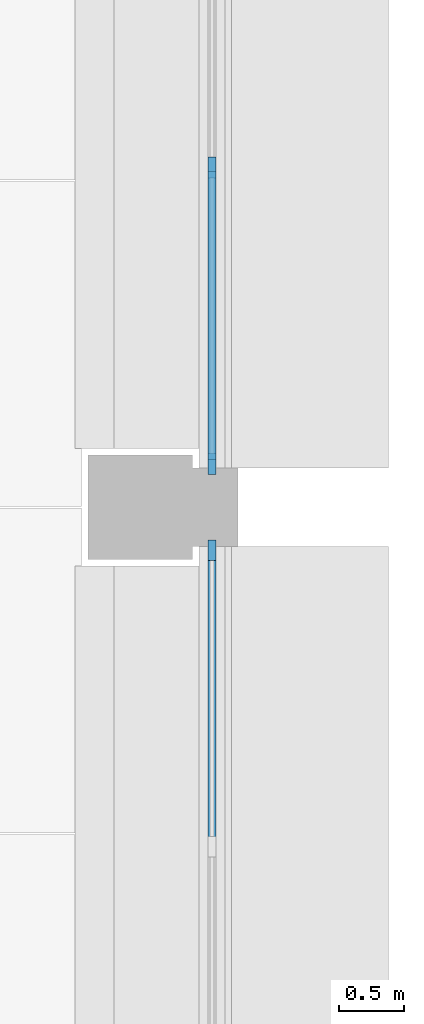
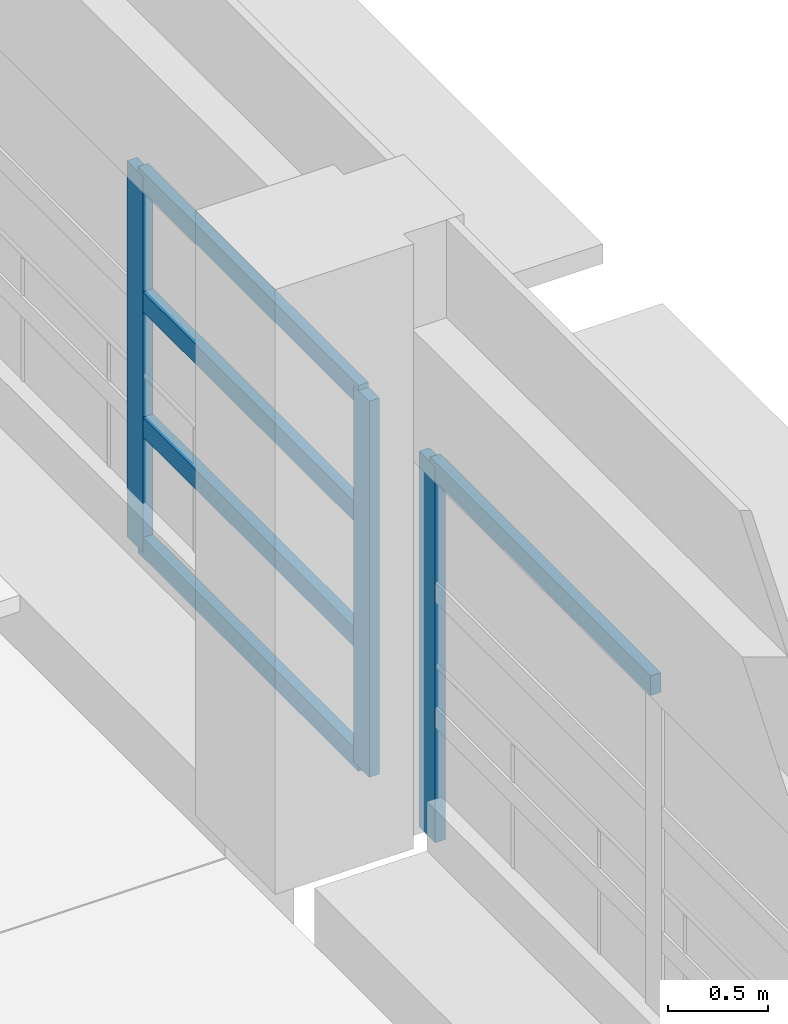
# One storey, part 10 of 61: 8 members, 2 elements without a shape of their own.
"""IFC4 building model written with IfcOpenShell, lengths in metres."""

from ifc_helpers import new_model, si_unit, direction, frame, origin, origin_2d, place, context, subcontext, project, spatial, rectangle, extrude, material, layer, layer_set, material_profile, profile_set, type_object, element, aggregate, save


model = new_model("IFC4")

# Units and contexts
model_context = context("Model", 3, precision=1e-05, world=origin(), true_north=direction((0.0, 1.0)))
body_context = subcontext(model_context, "Body", "Model", "MODEL_VIEW")
ifc_project = project(units=[si_unit("LENGTHUNIT", "METRE"), si_unit("AREAUNIT", "SQUARE_METRE"), si_unit("VOLUMEUNIT", "CUBIC_METRE"), si_unit("PLANEANGLEUNIT", "RADIAN"), si_unit("MASSUNIT", "GRAM", prefix="KILO")], contexts=[model_context])

# Site, building, storey
site_placement = place(None, origin())
site = spatial("IfcSite", under=ifc_project, at=site_placement, CompositionType="ELEMENT")
building_placement = place(site_placement, origin())
building = spatial("IfcBuilding", under=site, at=building_placement, Name="Cour d'Honneur Mobility Palace", CompositionType="ELEMENT")
storey_placement = place(building_placement, frame((0.0, 0.0, 11.89990234375)))
storey = spatial("IfcBuildingStorey", under=building, at=storey_placement, Name="L03", CompositionType="ELEMENT", Elevation=11.89990234375)

# Curtain wall, member
ifc_material_1 = material(Name="Aluminium and glass", Category="aluminium")
ifc_layer = layer(ifc_material_1, 0.10009765625)
ifc_layer_set = layer_set([ifc_layer], Name="Aluminium and glass")
curtain_wall_type = type_object("IfcCurtainWallType", Name="Curtain wall run", PredefinedType="NOTDEFINED", material=ifc_layer_set)
curtain_wall_1_placement = place(storey_placement, origin())
curtain_wall_1 = element("IfcCurtainWall", 1, at=curtain_wall_1_placement, inside=storey, type_object=curtain_wall_type, Name="Curtain wall CW-33", PredefinedType="NOTDEFINED")
ifc_material_2 = material(Name="Aluminium", Category="aluminium")
ifc_material_profile_1 = material_profile(ifc_material_2, rectangle(XDim=0.06005859375, YDim=0.159912109375, at=origin_2d()), Name="Curtain wall mullion")
ifc_profile_set_1 = profile_set([ifc_material_profile_1], Name="Aluminium")
member_type_1 = type_object("IfcMemberType", Name="Curtain wall mullion", PredefinedType="MULLION", material=ifc_profile_set_1)
member_1_placement = place(storey_placement, frame((17.949951171875, 92.070068359375, 0.0), z_axis=(0.0, 0.0, 1.0), x_axis=(-1.0, 0.0, 0.0)))
member_1 = element("IfcMember", 2, at=member_1_placement, type_object=member_type_1, Name="CW-33 mullion 4", PredefinedType="MULLION", context=body_context, shape_type="SweptSolid", body=[
    extrude(rectangle(XDim=0.06005859375, YDim=0.159912109375, at=origin_2d()), origin(), (0.0, 0.0, 1.0), 2.300048828125),
])

# Curtain wall, members
curtain_wall_2_placement = place(storey_placement, origin())
curtain_wall_2 = element("IfcCurtainWall", 3, at=curtain_wall_2_placement, inside=storey, type_object=curtain_wall_type, Name="Curtain wall CW-34", PredefinedType="NOTDEFINED")
member_2_placement = place(storey_placement, frame((17.949951171875, 92.72998046875, 0.0), z_axis=(0.0, 0.0, 1.0), x_axis=(-1.0, 0.0, 0.0)))
member_2 = element("IfcMember", 4, at=member_2_placement, type_object=member_type_1, Name="CW-34 mullion 1", PredefinedType="MULLION", context=body_context, shape_type="SweptSolid", body=[
    extrude(rectangle(XDim=0.06005859375, YDim=0.159912109375, at=origin_2d()), origin(), (0.0, 0.0, 1.0), 2.300048828125),
])
member_3_placement = place(storey_placement, frame((17.949951171875, 95.0, 0.0), z_axis=(0.0, 0.0, 1.0), x_axis=(-1.0, 0.0, 0.0)))
member_3 = element("IfcMember", 5, at=member_3_placement, type_object=member_type_1, Name="CW-34 mullion 2", PredefinedType="MULLION", context=body_context, shape_type="SweptSolid", body=[
    extrude(rectangle(XDim=0.06005859375, YDim=0.159912109375, at=origin_2d()), origin(), (0.0, 0.0, 1.0), 2.300048828125),
])

# Member
ifc_material_3 = material(Name="Aluminium", Category="aluminium")
ifc_material_profile_2 = material_profile(ifc_material_3, rectangle(XDim=0.06005859375, YDim=0.1201171875, at=origin_2d()), Name="Curtain wall transom")
ifc_profile_set_2 = profile_set([ifc_material_profile_2], Name="Aluminium")
member_type_2 = type_object("IfcMemberType", Name="Curtain wall transom", PredefinedType="USERDEFINED", material=ifc_profile_set_2)
member_4_placement = place(storey_placement, frame((17.949951171875, 89.830078125, 2.27001953125), z_axis=(0.0, 1.0, 0.0), x_axis=(-1.0, 0.0, 0.0)))
member_4 = element("IfcMember", 6, at=member_4_placement, type_object=member_type_2, Name="CW-33 transom 3.4", ObjectType="TRANSOM", PredefinedType="USERDEFINED", context=body_context, shape_type="SweptSolid", body=[
    extrude(rectangle(XDim=0.06005859375, YDim=0.1201171875, at=origin_2d()), origin(), (0.0, 0.0, 1.0), 2.2099609375),
])

aggregate(curtain_wall_1, [member_1, member_4])

member_5_placement = place(storey_placement, frame((17.949951171875, 92.760009765625, 0.030029296875), z_axis=(0.0, 1.0, 0.0), x_axis=(-1.0, 0.0, 0.0)))
member_5 = element("IfcMember", 7, at=member_5_placement, type_object=member_type_2, Name="CW-34 transom 1.1", ObjectType="TRANSOM", PredefinedType="USERDEFINED", context=body_context, shape_type="SweptSolid", body=[
    extrude(rectangle(XDim=0.06005859375, YDim=0.1201171875, at=origin_2d()), origin(), (0.0, 0.0, 1.0), 2.2099609375),
])

member_6_placement = place(storey_placement, frame((17.949951171875, 92.760009765625, 0.766845703125), z_axis=(0.0, 1.0, 0.0), x_axis=(-1.0, 0.0, 0.0)))
member_6 = element("IfcMember", 8, at=member_6_placement, type_object=member_type_2, Name="CW-34 transom 1.2", ObjectType="TRANSOM", PredefinedType="USERDEFINED", context=body_context, shape_type="SweptSolid", body=[
    extrude(rectangle(XDim=0.06005859375, YDim=0.1201171875, at=origin_2d()), origin(), (0.0, 0.0, 1.0), 2.2099609375),
])

member_7_placement = place(storey_placement, frame((17.949951171875, 92.760009765625, 1.533447265625), z_axis=(0.0, 1.0, 0.0), x_axis=(-1.0, 0.0, 0.0)))
member_7 = element("IfcMember", 9, at=member_7_placement, type_object=member_type_2, Name="CW-34 transom 1.3", ObjectType="TRANSOM", PredefinedType="USERDEFINED", context=body_context, shape_type="SweptSolid", body=[
    extrude(rectangle(XDim=0.06005859375, YDim=0.1201171875, at=origin_2d()), origin(), (0.0, 0.0, 1.0), 2.2099609375),
])

member_8_placement = place(storey_placement, frame((17.949951171875, 92.760009765625, 2.27001953125), z_axis=(0.0, 1.0, 0.0), x_axis=(-1.0, 0.0, 0.0)))
member_8 = element("IfcMember", 10, at=member_8_placement, type_object=member_type_2, Name="CW-34 transom 1.4", ObjectType="TRANSOM", PredefinedType="USERDEFINED", context=body_context, shape_type="SweptSolid", body=[
    extrude(rectangle(XDim=0.06005859375, YDim=0.1201171875, at=origin_2d()), origin(), (0.0, 0.0, 1.0), 2.2099609375),
])

aggregate(curtain_wall_2, [member_2, member_3, member_5, member_6, member_7, member_8])

save(model, "model.ifc")
